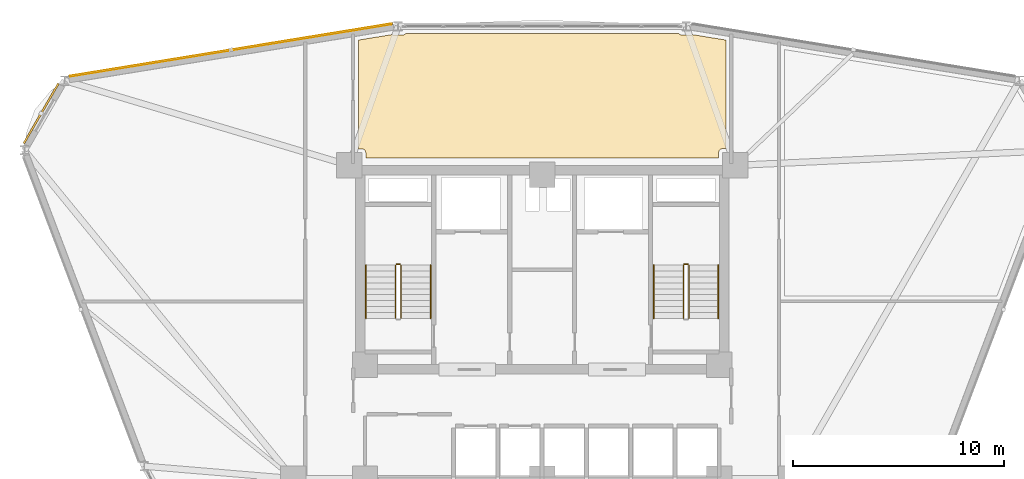
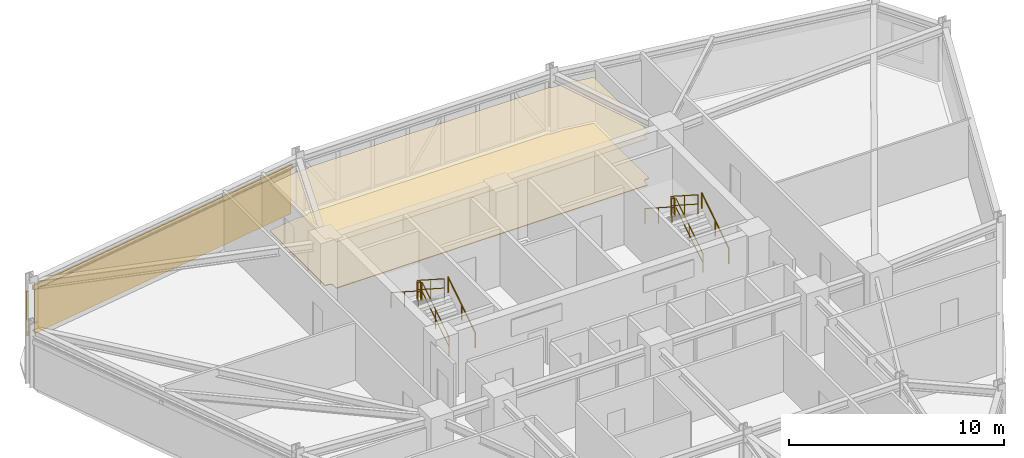
# One storey, part 16 of 17: 10 railings, 3 coverings, 2 shading devices.
"""IFC4 building model written with IfcOpenShell, lengths in metres."""

import ifcopenshell
import ifcopenshell.guid

model = None  # the IFC model being written
_history = None  # IfcOwnerHistory: only IFC2X3 demands one
_inside = {}  # id of a spatial element -> (the spatial element, [elements in it])
_under = {}  # id of a project, library or spatial element -> (it, [spatial elements below it])
_declared = {}  # id of a project -> (the project, [libraries it declares])
_typed = {}  # id of a type object -> (the type object, [elements of that type])
_made_of = {}  # id of a material, layer set ... -> (it, [elements and type objects made of it])


def new_model(schema):
    """Start an empty IFC model of exactly this schema.

    Asked for "IFC4X3", IfcOpenShell would pick the latest addendum, in which some entities
    have other attributes; the version numbers below select the first issue.
    IFC2X3 requires an IfcOwnerHistory on every rooted entity: one is made here for all.
    """
    global model, _history
    if schema == "IFC4X3":
        model = ifcopenshell.file(schema_version=(4, 3, 0, 0))
    else:
        model = ifcopenshell.file(schema=schema)
    _inside.clear()
    _under.clear()
    _declared.clear()
    _typed.clear()
    _made_of.clear()
    _history = None
    if model.schema == "IFC2X3":
        org = make("IfcOrganization", Name="unknown")
        user = make(
            "IfcPersonAndOrganization",
            ThePerson=make("IfcPerson", FamilyName="unknown"),
            TheOrganization=org,
        )
        app = make(
            "IfcApplication",
            ApplicationDeveloper=org,
            Version="unknown",
            ApplicationFullName="unknown",
            ApplicationIdentifier="unknown",
        )
        _history = make(
            "IfcOwnerHistory",
            OwningUser=user,
            OwningApplication=app,
            ChangeAction="ADDED",
            CreationDate=0,
        )
    return model


def make(cls, **values):
    """One entity of the class cls with the attributes given. An attribute that is None is left unset."""
    return model.create_entity(
        cls, **{name: value for name, value in values.items() if value is not None}
    )


def rooted(cls, **values):
    """An entity with a GlobalId (a new one), such as an element, a storey or a relation."""
    return make(cls, GlobalId=ifcopenshell.guid.new(), OwnerHistory=_history, **values)


def si_unit(unit_type, name, prefix=None):
    """IfcSIUnit, for example si_unit("LENGTHUNIT", "METRE", prefix="MILLI")."""
    return make("IfcSIUnit", UnitType=unit_type, Prefix=prefix, Name=name)


def derived_unit(unit_type, elements):
    """IfcDerivedUnit: a product of units, each with its exponent."""
    return make(
        "IfcDerivedUnit",
        Elements=[
            make("IfcDerivedUnitElement", Unit=unit, Exponent=power)
            for unit, power in elements
        ],
        UnitType=unit_type,
    )


def assignment(units):
    """IfcUnitAssignment: the units of a project."""
    return None if units is None else make("IfcUnitAssignment", Units=units)


def point(xyz):
    """IfcCartesianPoint."""
    return None if xyz is None else make("IfcCartesianPoint", Coordinates=xyz)


def direction(xyz):
    """IfcDirection."""
    return None if xyz is None else make("IfcDirection", DirectionRatios=xyz)


def frame(location, z_axis=None, x_axis=None):
    """IfcAxis2Placement3D, a coordinate frame: its origin and axes. An axis left out is left unset."""
    return make(
        "IfcAxis2Placement3D",
        Location=point(location),
        Axis=direction(z_axis),
        RefDirection=direction(x_axis),
    )


def frame_2d(location, x_axis=None):
    """IfcAxis2Placement2D, a coordinate frame in the plane: its origin and x axis."""
    return make(
        "IfcAxis2Placement2D", Location=point(location), RefDirection=direction(x_axis)
    )


def origin():
    """The frame at (0, 0, 0) with its axes left unset."""
    return frame((0.0, 0.0, 0.0))


def origin_2d():
    """The frame at (0, 0) in the plane with its x axis left unset."""
    return frame_2d((0.0, 0.0))


def place(relative_to, where):
    """IfcLocalPlacement: puts the frame where relative to a parent placement (None: the world)."""
    return make(
        "IfcLocalPlacement", PlacementRelTo=relative_to, RelativePlacement=where
    )


def context(
    kind, dimensions, precision=None, world=None, true_north=None, identifier=None
):
    """IfcGeometricRepresentationContext, for example the 3D "Model" context."""
    return make(
        "IfcGeometricRepresentationContext",
        ContextIdentifier=identifier,
        ContextType=kind,
        CoordinateSpaceDimension=dimensions,
        Precision=precision,
        WorldCoordinateSystem=world,
        TrueNorth=true_north,
    )


def subcontext(parent, identifier, kind, view, scale=None):
    """IfcGeometricRepresentationSubContext, for example "Body" below "Model"."""
    return make(
        "IfcGeometricRepresentationSubContext",
        ContextIdentifier=identifier,
        ContextType=kind,
        ParentContext=parent,
        TargetScale=scale,
        TargetView=view,
    )


def project(units=None, contexts=None):
    """IfcProject with its units and contexts."""
    return rooted(
        "IfcProject",
        Name="project",
        RepresentationContexts=contexts,
        UnitsInContext=assignment(units),
    )


def spatial(cls, under=None, at=None, **own):
    """A site, building, storey or space (cls), placed at a placement, below another one or the project."""
    s = rooted(cls, ObjectPlacement=at, **own)
    if under is not None:
        _under.setdefault(under.id(), (under, []))[1].append(s)
    return s


def polyline(points):
    """IfcPolyline through the points."""
    return make("IfcPolyline", Points=[point(p) for p in points])


def profile(cls, at=None, kind="AREA", **sizes):
    """A parametric profile (cls). Its sizes go by their IFC names, for example OverallWidth=200.0."""
    return make(cls, ProfileType=kind, Position=at, **sizes)


def hollow_rectangle(**sizes):
    """IfcRectangleHollowProfileDef."""
    return profile("IfcRectangleHollowProfileDef", **sizes)


def circle(**sizes):
    """IfcCircleProfileDef."""
    return profile("IfcCircleProfileDef", **sizes)


def outline(outer, holes=None, kind="AREA"):
    """IfcArbitraryClosedProfileDef: a profile drawn as a closed curve; with holes, ...WithVoids."""
    if holes is None:
        return make("IfcArbitraryClosedProfileDef", ProfileType=kind, OuterCurve=outer)
    return make(
        "IfcArbitraryProfileDefWithVoids",
        ProfileType=kind,
        OuterCurve=outer,
        InnerCurves=holes,
    )


def extrude(swept, where, along, depth):
    """IfcExtrudedAreaSolid: the profile swept, set in the frame where, extruded along a direction by depth."""
    return make(
        "IfcExtrudedAreaSolid",
        SweptArea=swept,
        Position=where,
        ExtrudedDirection=direction(along),
        Depth=depth,
    )


def shape(context_of_items, identifier, shape_type, items):
    """IfcShapeRepresentation: the items that make up one representation, for example the "Body"."""
    return make(
        "IfcShapeRepresentation",
        ContextOfItems=context_of_items,
        RepresentationIdentifier=identifier,
        RepresentationType=shape_type,
        Items=items,
    )


def source(mapping_origin, context_of_items, identifier, shape_type, items):
    """IfcRepresentationMap: a shape defined once, which mapped items show again and again."""
    return make(
        "IfcRepresentationMap",
        MappingOrigin=mapping_origin,
        MappedRepresentation=shape(context_of_items, identifier, shape_type, items),
    )


def transform(
    local_origin,
    x_axis=None,
    y_axis=None,
    z_axis=None,
    scale=None,
    scale2=None,
    scale3=None,
    uniform=True,
):
    """IfcCartesianTransformationOperator3D, or its non-uniform kind. x_axis, y_axis, z_axis: its Axis1, 2, 3."""
    if uniform:
        return make(
            "IfcCartesianTransformationOperator3D",
            Axis1=direction(x_axis),
            Axis2=direction(y_axis),
            LocalOrigin=point(local_origin),
            Scale=scale,
            Axis3=direction(z_axis),
        )
    return make(
        "IfcCartesianTransformationOperator3DnonUniform",
        Axis1=direction(x_axis),
        Axis2=direction(y_axis),
        LocalOrigin=point(local_origin),
        Scale=scale,
        Axis3=direction(z_axis),
        Scale2=scale2,
        Scale3=scale3,
    )


def mapped(mapping_source, mapping_target):
    """IfcMappedItem: shows the shape of a source again, moved by a transform."""
    return make(
        "IfcMappedItem", MappingSource=mapping_source, MappingTarget=mapping_target
    )


def material(Name=None, Category=None):
    """IfcMaterial."""
    return make("IfcMaterial", Name=Name, Category=Category)


def layer(
    of_material, thickness, ventilated=None, Name=None, Category=None, Priority=None
):
    """IfcMaterialLayer: one layer of a wall or slab, of a material (None: an air gap)."""
    return make(
        "IfcMaterialLayer",
        Material=of_material,
        LayerThickness=thickness,
        IsVentilated=ventilated,
        Name=Name,
        Category=Category,
        Priority=Priority,
    )


def layer_set(layers, Name=None):
    """IfcMaterialLayerSet."""
    return make("IfcMaterialLayerSet", MaterialLayers=layers, LayerSetName=Name)


def material_profile(
    of_material, cross_section, Name=None, Category=None, Priority=None
):
    """IfcMaterialProfile: a cross section and its material."""
    return make(
        "IfcMaterialProfile",
        Name=Name,
        Material=of_material,
        Profile=cross_section,
        Priority=Priority,
        Category=Category,
    )


def profile_set(profiles, Name=None, composite=None):
    """IfcMaterialProfileSet."""
    return make(
        "IfcMaterialProfileSet",
        Name=Name,
        MaterialProfiles=profiles,
        CompositeProfile=composite,
    )


def made_of(thing, what):
    """Note that an element or type object is made of a material, layer set ...; save() writes the relation."""
    if what is not None:
        _made_of.setdefault(what.id(), (what, []))[1].append(thing)
    return thing


def type_object(cls, material=None, **own):
    """A type object (cls), such as IfcWallType, which elements share."""
    return made_of(rooted(cls, **own), material)


def element(
    cls,
    number,
    at=None,
    inside=None,
    cuts=None,
    type_object=None,
    material=None,
    context=None,
    identifier="Body",
    shape_type=None,
    held_by="IfcProductDefinitionShape",
    body=None,
    shapes=None,
    **own,
):
    """One element of the class cls, such as IfcWall. Its Tag is "e" and its number.

    at: its placement. inside: the storey or other place that contains it. cuts: it is an
    opening in that element (IfcRelVoidsElement). A single representation is given by context,
    identifier, shape_type and body (its items); several are given by shapes. held_by: the class
    of the entity that holds the representations. save() writes the other relations.
    """
    e = rooted(cls, Tag="e%d" % number, ObjectPlacement=at, **own)
    if body is not None:
        shapes = [shape(context, identifier, shape_type, body)]
    if shapes is not None:
        e.Representation = make(held_by, Representations=shapes)
    if inside is not None:
        _inside.setdefault(inside.id(), (inside, []))[1].append(e)
    if cuts is not None:
        rooted(
            "IfcRelVoidsElement", RelatingBuildingElement=cuts, RelatedOpeningElement=e
        )
    if type_object is not None:
        _typed.setdefault(type_object.id(), (type_object, []))[1].append(e)
    return made_of(e, material)


def aggregate(whole, parts):
    """IfcRelAggregates: a whole, such as a stair, and the parts it consists of."""
    return rooted("IfcRelAggregates", RelatingObject=whole, RelatedObjects=parts)


def save(model, path):
    """Write the relations noted so far, then the file.

    IfcRelAggregates (storeys below a building ...), IfcRelContainedInSpatialStructure (elements
    in a storey), IfcRelDefinesByType, IfcRelAssociatesMaterial and IfcRelDeclares: one each for
    every whole, place, type object, material and project.
    """
    for whole, parts in _under.values():
        aggregate(whole, parts)
    for where, things in _inside.values():
        rooted(
            "IfcRelContainedInSpatialStructure",
            RelatedElements=things,
            RelatingStructure=where,
        )
    for kind, things in _typed.values():
        rooted("IfcRelDefinesByType", RelatedObjects=things, RelatingType=kind)
    for what, things in _made_of.values():
        rooted("IfcRelAssociatesMaterial", RelatedObjects=things, RelatingMaterial=what)
    for by, libraries in _declared.values():
        rooted("IfcRelDeclares", RelatingContext=by, RelatedDefinitions=libraries)
    model.write(path)


model = new_model("IFC4")

# Units and contexts
model_context = context("Model", 3, precision=1e-05, world=origin(), true_north=direction((0.0, 1.0)))
body_context = subcontext(model_context, "Body", "Model", "MODEL_VIEW")
ifc_project = project(units=[si_unit("LENGTHUNIT", "METRE"), si_unit("AREAUNIT", "SQUARE_METRE"), si_unit("VOLUMEUNIT", "CUBIC_METRE"), si_unit("PLANEANGLEUNIT", "RADIAN"), si_unit("MASSUNIT", "GRAM", prefix="KILO"), derived_unit("THERMALTRANSMITTANCEUNIT", [(si_unit("POWERUNIT", "WATT"), 1), (si_unit("LENGTHUNIT", "METRE"), -2), (si_unit("THERMODYNAMICTEMPERATUREUNIT", "KELVIN"), -1)])], contexts=[model_context])

# Site, building, storey
site_placement = place(None, origin())
site = spatial("IfcSite", under=ifc_project, at=site_placement, CompositionType="ELEMENT")
building_placement = place(site_placement, origin())
building = spatial("IfcBuilding", under=site, at=building_placement, Name="Korsvarv Bourse and Concert Hall", CompositionType="ELEMENT")
storey_placement = place(building_placement, frame((0.0, 0.0, 127.800048828125)))
storey = spatial("IfcBuildingStorey", under=building, at=storey_placement, Name="L32", CompositionType="ELEMENT", Elevation=127.800048828125)

# Coverings
ifc_material_1 = material(Name="Perforated mineral-wool and birch acoustic baffle ceiling", Category="wood")
ifc_layer_1 = layer(ifc_material_1, 0.02490234375)
ifc_layer_set_1 = layer_set([ifc_layer_1], Name="Perforated mineral-wool and birch acoustic baffle ceiling")
covering_type_1 = type_object("IfcCoveringType", Name="COV-CEIL-1", PredefinedType="CEILING", material=ifc_layer_set_1)
covering_1_placement = place(storey_placement, frame((0.0, 0.0, 2.639892578125)))
element("IfcCovering", 1, at=covering_1_placement, inside=storey, type_object=covering_type_1, Name="L32 acoustic baffle ceiling 2", PredefinedType="CEILING", context=body_context, shape_type="SweptSolid", body=[
    extrude(outline(polyline([(28.88134765625, 53.44921875), (28.91552734375, 53.43798828125), (28.9501953125, 53.43359375), (29.378173828125, 53.423583984375), (29.4130859375, 53.426513671875), (29.447021484375, 53.435791015625), (29.478515625, 53.451416015625), (29.506103515625, 53.472900390625), (29.529052734375, 53.49951171875), (42.46728515625, 53.501220703125), (42.49169921875, 53.47607421875), (42.520263671875, 53.456298828125), (42.55224609375, 53.4423828125), (42.586181640625, 53.43505859375), (43.031494140625, 53.423583984375), (43.06591796875, 53.42626953125), (43.099365234375, 53.435302734375), (43.125732421875, 53.447998046875), (44.7099609375, 53.1904296875), (44.7099609375, 48.0400390625), (44.550048828125, 48.0400390625), (44.515380859375, 48.03662109375), (44.482177734375, 48.026611328125), (44.451416015625, 48.010498046875), (44.42431640625, 47.98876953125), (44.40185546875, 47.962158203125), (44.385009765625, 47.931640625), (44.374267578125, 47.898681640625), (44.3701171875, 47.864013671875), (44.364013671875, 47.60009765625), (27.639892578125, 47.60009765625), (27.639892578125, 47.85009765625), (27.63671875, 47.884521484375), (27.626708984375, 47.917724609375), (27.610595703125, 47.948486328125), (27.589111328125, 47.975341796875), (27.562744140625, 47.997802734375), (27.532470703125, 48.014892578125), (27.49951171875, 48.025634765625), (27.465087890625, 48.02978515625), (27.2900390625, 48.034912109375), (27.2900390625, 53.1904296875), (28.88134765625, 53.44921875)])), origin(), (0.0, 0.0, 1.0), 0.025146484375),
])
ifc_material_2 = material(Name="Warm iron-oxide extruded terracotta rainscreen tile", Category="ceramic")
ifc_layer_2 = layer(ifc_material_2, 0.044921875)
ifc_layer_set_2 = layer_set([ifc_layer_2], Name="Warm iron-oxide extruded terracotta rainscreen tile")
covering_type_2 = type_object("IfcCoveringType", Name="COV-CLD-TC", PredefinedType="CLADDING", material=ifc_layer_set_2)
covering_2_placement = place(storey_placement, origin())
element("IfcCovering", 2, at=covering_2_placement, inside=storey, type_object=covering_type_2, Name="L32 fluted terracotta cladding panel EW-L32-B04", PredefinedType="CLADDING", context=body_context, shape_type="SweptSolid", body=[
    extrude(outline(polyline([(28.858642578125, 53.9267578125), (13.637451171875, 51.45166015625), (13.63037109375, 51.49609375), (28.851318359375, 53.97119140625), (28.858642578125, 53.9267578125)])), origin(), (0.0, 0.0, 1.0), 2.489990234375),
])
ifc_material_3 = material(Name="Calcium-sulphate raised access trading floor with Nordic oak top", Category="wood")
ifc_layer_3 = layer(ifc_material_3, 0.0400390625)
ifc_layer_set_3 = layer_set([ifc_layer_3], Name="Calcium-sulphate raised access trading floor with Nordic oak top")
covering_type_3 = type_object("IfcCoveringType", Name="COV-FLOR-1", PredefinedType="FLOORING", material=ifc_layer_set_3)
covering_3_placement = place(storey_placement, origin())
element("IfcCovering", 3, at=covering_3_placement, inside=storey, type_object=covering_type_3, Name="L32 raised access oak floor finish 2", PredefinedType="FLOORING", context=body_context, shape_type="SweptSolid", body=[
    extrude(outline(polyline([(28.88134765625, 53.44921875), (28.91552734375, 53.43798828125), (28.9501953125, 53.43359375), (29.378173828125, 53.423583984375), (29.4130859375, 53.426513671875), (29.447021484375, 53.435791015625), (29.478515625, 53.451416015625), (29.506103515625, 53.472900390625), (29.529052734375, 53.49951171875), (42.46728515625, 53.501220703125), (42.49169921875, 53.47607421875), (42.520263671875, 53.456298828125), (42.55224609375, 53.4423828125), (42.586181640625, 53.43505859375), (43.031494140625, 53.423583984375), (43.06591796875, 53.42626953125), (43.099365234375, 53.435302734375), (43.125732421875, 53.447998046875), (44.7099609375, 53.1904296875), (44.7099609375, 48.0400390625), (44.550048828125, 48.0400390625), (44.515380859375, 48.03662109375), (44.482177734375, 48.026611328125), (44.451416015625, 48.010498046875), (44.42431640625, 47.98876953125), (44.40185546875, 47.962158203125), (44.385009765625, 47.931640625), (44.374267578125, 47.898681640625), (44.3701171875, 47.864013671875), (44.364013671875, 47.60009765625), (27.639892578125, 47.60009765625), (27.639892578125, 47.85009765625), (27.63671875, 47.884521484375), (27.626708984375, 47.917724609375), (27.610595703125, 47.948486328125), (27.589111328125, 47.975341796875), (27.562744140625, 47.997802734375), (27.532470703125, 48.014892578125), (27.49951171875, 48.025634765625), (27.465087890625, 48.02978515625), (27.2900390625, 48.034912109375), (27.2900390625, 53.1904296875), (28.88134765625, 53.44921875)])), origin(), (0.0, 0.0, 1.0), 0.0400390625),
])

# Railings
ifc_material_4 = material(Name="Painted Steel S355 stair well guardrail", Category="steel")
railing_type_1 = type_object("IfcRailingType", Name="RL-ST-GRD", PredefinedType="GUARDRAIL", material=ifc_material_4)
railing_1_placement = place(storey_placement, frame((29.31005859375, 40.0, 0.179931640625)))
element("IfcRailing", 4, at=railing_1_placement, inside=storey, type_object=railing_type_1, Name="L32 ST-T1 stair guard 1", PredefinedType="GUARDRAIL", context=body_context, shape_type="SweptSolid", body=[
    extrude(circle(Radius=0.02392578125, at=origin_2d()), frame((0.0, 0.0, 1.076171875), z_axis=(0.0, 0.841162588446, 0.540782303519), x_axis=(-1.0, 0.0, 0.0)), (0.0, 0.0, 1.0), 2.995849609375),
    extrude(circle(Radius=0.02392578125, at=origin_2d()), frame((0.0, 0.0, 0.550048828125), z_axis=(0.0, 0.841162588446, 0.540782303519), x_axis=(-1.0, 0.0, 0.0)), (0.0, 0.0, 1.0), 2.995849609375),
    extrude(circle(Radius=0.02099609375, at=origin_2d()), origin(), (0.0, 0.0, 1.0), 1.052001953125),
    extrude(circle(Radius=0.02099609375, at=origin_2d()), frame((0.0, 1.260009765625, 0.81005859375)), (0.0, 0.0, 1.0), 1.052001953125),
    extrude(circle(Radius=0.02099609375, at=origin_2d()), frame((0.0, 2.52001953125, 1.6201171875)), (0.0, 0.0, 1.0), 1.052001953125),
])
railing_2_placement = place(storey_placement, frame((29.260009765625, 42.570068359375, 1.800048828125)))
element("IfcRailing", 5, at=railing_2_placement, inside=storey, type_object=railing_type_1, Name="L32 ST-T1 stair guard 2", PredefinedType="GUARDRAIL", context=body_context, shape_type="SweptSolid", body=[
    extrude(circle(Radius=0.02392578125, at=origin_2d()), frame((0.0, 0.0, 1.076171875), z_axis=(-1.0, 0.0, 0.0), x_axis=(0.0, -1.0, 0.0)), (0.0, 0.0, 1.0), 0.159912109375),
    extrude(circle(Radius=0.02392578125, at=origin_2d()), frame((0.0, 0.0, 0.550048828125), z_axis=(-1.0, 0.0, 0.0), x_axis=(0.0, -1.0, 0.0)), (0.0, 0.0, 1.0), 0.159912109375),
    extrude(circle(Radius=0.02099609375, at=origin_2d()), origin(), (0.0, 0.0, 1.0), 1.052001953125),
    extrude(circle(Radius=0.02099609375, at=origin_2d()), frame((-0.159912109375, 0.0, 0.0)), (0.0, 0.0, 1.0), 1.052001953125),
])
railing_3_placement = place(storey_placement, frame((29.050048828125, 42.52001953125, 1.97998046875)))
element("IfcRailing", 6, at=railing_3_placement, inside=storey, type_object=railing_type_1, Name="L32 ST-T1 stair guard 3", PredefinedType="GUARDRAIL", context=body_context, shape_type="SweptSolid", body=[
    extrude(circle(Radius=0.02392578125, at=origin_2d()), frame((0.0, 0.0, 1.076171875), z_axis=(0.0, -0.841199657755, 0.540724639528), x_axis=(1.0, 0.0, 0.0)), (0.0, 0.0, 1.0), 2.995849609375),
    extrude(circle(Radius=0.02392578125, at=origin_2d()), frame((0.0, 0.0, 0.550048828125), z_axis=(0.0, -0.841199657755, 0.540724639528), x_axis=(1.0, 0.0, 0.0)), (0.0, 0.0, 1.0), 2.995849609375),
    extrude(circle(Radius=0.02099609375, at=origin_2d()), origin(), (0.0, 0.0, 1.0), 1.052001953125),
    extrude(circle(Radius=0.02099609375, at=origin_2d()), frame((0.0, -1.260009765625, 0.81005859375)), (0.0, 0.0, 1.0), 1.052001953125),
    extrude(circle(Radius=0.02099609375, at=origin_2d()), frame((0.0, -2.52001953125, 1.619873046875)), (0.0, 0.0, 1.0), 1.052001953125),
])
railing_4_placement = place(storey_placement, frame((42.949951171875, 40.0, 0.179931640625)))
element("IfcRailing", 7, at=railing_4_placement, inside=storey, type_object=railing_type_1, Name="L32 ST-T2 stair guard 1", PredefinedType="GUARDRAIL", context=body_context, shape_type="SweptSolid", body=[
    extrude(circle(Radius=0.02392578125, at=origin_2d()), frame((0.0, 0.0, 1.076171875), z_axis=(0.0, 0.841162588446, 0.540782303519), x_axis=(-1.0, 0.0, 0.0)), (0.0, 0.0, 1.0), 2.995849609375),
    extrude(circle(Radius=0.02392578125, at=origin_2d()), frame((0.0, 0.0, 0.550048828125), z_axis=(0.0, 0.841162588446, 0.540782303519), x_axis=(-1.0, 0.0, 0.0)), (0.0, 0.0, 1.0), 2.995849609375),
    extrude(circle(Radius=0.02099609375, at=origin_2d()), origin(), (0.0, 0.0, 1.0), 1.052001953125),
    extrude(circle(Radius=0.02099609375, at=origin_2d()), frame((0.0, 1.260009765625, 0.81005859375)), (0.0, 0.0, 1.0), 1.052001953125),
    extrude(circle(Radius=0.02099609375, at=origin_2d()), frame((0.0, 2.52001953125, 1.6201171875)), (0.0, 0.0, 1.0), 1.052001953125),
])
railing_5_placement = place(storey_placement, frame((42.89990234375, 42.570068359375, 1.800048828125)))
element("IfcRailing", 8, at=railing_5_placement, inside=storey, type_object=railing_type_1, Name="L32 ST-T2 stair guard 2", PredefinedType="GUARDRAIL", context=body_context, shape_type="SweptSolid", body=[
    extrude(circle(Radius=0.02392578125, at=origin_2d()), frame((0.0, 0.0, 1.076171875), z_axis=(-1.0, 0.0, 0.0), x_axis=(0.0, -1.0, 0.0)), (0.0, 0.0, 1.0), 0.159912109375),
    extrude(circle(Radius=0.02392578125, at=origin_2d()), frame((0.0, 0.0, 0.550048828125), z_axis=(-1.0, 0.0, 0.0), x_axis=(0.0, -1.0, 0.0)), (0.0, 0.0, 1.0), 0.159912109375),
    extrude(circle(Radius=0.02099609375, at=origin_2d()), origin(), (0.0, 0.0, 1.0), 1.052001953125),
    extrude(circle(Radius=0.02099609375, at=origin_2d()), frame((-0.159912109375, 0.0, 0.0)), (0.0, 0.0, 1.0), 1.052001953125),
])
railing_6_placement = place(storey_placement, frame((42.68994140625, 42.52001953125, 1.97998046875)))
element("IfcRailing", 9, at=railing_6_placement, inside=storey, type_object=railing_type_1, Name="L32 ST-T2 stair guard 3", PredefinedType="GUARDRAIL", context=body_context, shape_type="SweptSolid", body=[
    extrude(circle(Radius=0.02392578125, at=origin_2d()), frame((0.0, 0.0, 1.076171875), z_axis=(0.0, -0.841199657755, 0.540724639528), x_axis=(1.0, 0.0, 0.0)), (0.0, 0.0, 1.0), 2.995849609375),
    extrude(circle(Radius=0.02392578125, at=origin_2d()), frame((0.0, 0.0, 0.550048828125), z_axis=(0.0, -0.841199657755, 0.540724639528), x_axis=(1.0, 0.0, 0.0)), (0.0, 0.0, 1.0), 2.995849609375),
    extrude(circle(Radius=0.02099609375, at=origin_2d()), origin(), (0.0, 0.0, 1.0), 1.052001953125),
    extrude(circle(Radius=0.02099609375, at=origin_2d()), frame((0.0, -1.260009765625, 0.81005859375)), (0.0, 0.0, 1.0), 1.052001953125),
    extrude(circle(Radius=0.02099609375, at=origin_2d()), frame((0.0, -2.52001953125, 1.619873046875)), (0.0, 0.0, 1.0), 1.052001953125),
])
ifc_material_5 = material(Name="Brushed stainless Steel S355 tubular handrail", Category="steel")
railing_type_2 = type_object("IfcRailingType", Name="RL-ST-HND", PredefinedType="HANDRAIL", material=ifc_material_5)
railing_7_placement = place(storey_placement, frame((30.7099609375, 40.0, 0.179931640625)))
element("IfcRailing", 10, at=railing_7_placement, inside=storey, type_object=railing_type_2, Name="L32 ST-T1 stair handrail 1", PredefinedType="HANDRAIL", context=body_context, shape_type="SweptSolid", body=[
    extrude(circle(Radius=0.02392578125, at=origin_2d()), frame((0.0, 0.0, 0.8759765625), z_axis=(0.0, 0.841162588446, 0.540782303519), x_axis=(-1.0, 0.0, 0.0)), (0.0, 0.0, 1.0), 2.995849609375),
    extrude(circle(Radius=0.02099609375, at=origin_2d()), origin(), (0.0, 0.0, 1.0), 0.851806640625),
    extrude(circle(Radius=0.02099609375, at=origin_2d()), frame((0.0, 1.260009765625, 0.81005859375)), (0.0, 0.0, 1.0), 0.851806640625),
    extrude(circle(Radius=0.02099609375, at=origin_2d()), frame((0.0, 2.52001953125, 1.6201171875)), (0.0, 0.0, 1.0), 0.851806640625),
])
railing_8_placement = place(storey_placement, frame((27.64990234375, 42.52001953125, 1.97998046875)))
element("IfcRailing", 11, at=railing_8_placement, inside=storey, type_object=railing_type_2, Name="L32 ST-T1 stair handrail 2", PredefinedType="HANDRAIL", context=body_context, shape_type="SweptSolid", body=[
    extrude(circle(Radius=0.02392578125, at=origin_2d()), frame((0.0, 0.0, 0.8759765625), z_axis=(0.0, -0.841199657755, 0.540724639528), x_axis=(1.0, 0.0, 0.0)), (0.0, 0.0, 1.0), 2.995849609375),
    extrude(circle(Radius=0.02099609375, at=origin_2d()), origin(), (0.0, 0.0, 1.0), 0.851806640625),
    extrude(circle(Radius=0.02099609375, at=origin_2d()), frame((0.0, -1.260009765625, 0.81005859375)), (0.0, 0.0, 1.0), 0.851806640625),
    extrude(circle(Radius=0.02099609375, at=origin_2d()), frame((0.0, -2.52001953125, 1.619873046875)), (0.0, 0.0, 1.0), 0.851806640625),
])
railing_9_placement = place(storey_placement, frame((44.35009765625, 40.0, 0.179931640625)))
element("IfcRailing", 12, at=railing_9_placement, inside=storey, type_object=railing_type_2, Name="L32 ST-T2 stair handrail 1", PredefinedType="HANDRAIL", context=body_context, shape_type="SweptSolid", body=[
    extrude(circle(Radius=0.02392578125, at=origin_2d()), frame((0.0, 0.0, 0.8759765625), z_axis=(0.0, 0.841162588446, 0.540782303519), x_axis=(-1.0, 0.0, 0.0)), (0.0, 0.0, 1.0), 2.995849609375),
    extrude(circle(Radius=0.02099609375, at=origin_2d()), origin(), (0.0, 0.0, 1.0), 0.851806640625),
    extrude(circle(Radius=0.02099609375, at=origin_2d()), frame((0.0, 1.260009765625, 0.81005859375)), (0.0, 0.0, 1.0), 0.851806640625),
    extrude(circle(Radius=0.02099609375, at=origin_2d()), frame((0.0, 2.52001953125, 1.6201171875)), (0.0, 0.0, 1.0), 0.851806640625),
])
railing_10_placement = place(storey_placement, frame((41.2900390625, 42.52001953125, 1.97998046875)))
element("IfcRailing", 13, at=railing_10_placement, inside=storey, type_object=railing_type_2, Name="L32 ST-T2 stair handrail 2", PredefinedType="HANDRAIL", context=body_context, shape_type="SweptSolid", body=[
    extrude(circle(Radius=0.02392578125, at=origin_2d()), frame((0.0, 0.0, 0.8759765625), z_axis=(0.0, -0.841199657755, 0.540724639528), x_axis=(1.0, 0.0, 0.0)), (0.0, 0.0, 1.0), 2.995849609375),
    extrude(circle(Radius=0.02099609375, at=origin_2d()), origin(), (0.0, 0.0, 1.0), 0.851806640625),
    extrude(circle(Radius=0.02099609375, at=origin_2d()), frame((0.0, -1.260009765625, 0.81005859375)), (0.0, 0.0, 1.0), 0.851806640625),
    extrude(circle(Radius=0.02099609375, at=origin_2d()), frame((0.0, -2.52001953125, 1.619873046875)), (0.0, 0.0, 1.0), 0.851806640625),
])

# Shading devices
ifc_material_6 = material(Name="Glazed extruded architectural terracotta", Category="ceramic")
ifc_material_profile = material_profile(ifc_material_6, hollow_rectangle(XDim=0.090087890625, YDim=0.260009765625, WallThickness=0.011962890625, at=origin_2d()), Name="TC-BAG 90x260")
ifc_profile_set = profile_set([ifc_material_profile], Name="Glazed extruded architectural terracotta")
shading_device_type = type_object("IfcShadingDeviceType", Name="SHD-BAG-1", PredefinedType="USERDEFINED", material=ifc_profile_set)
shared_shape_1 = source(origin(), body_context, "Body", "SweptSolid", [
    extrude(hollow_rectangle(XDim=0.090087890625, YDim=0.260009765625, WallThickness=0.011962890625, at=origin_2d()), origin(), (0.0, 0.0, 1.0), 3.279296875),
])
shading_device_1_placement = place(storey_placement, frame((13.07177734375, 51.130859375, 2.699951171875), z_axis=(-0.500014611105, -0.866016967894, 0.0), x_axis=(0.866016967894, -0.500014611105, 0.0)))
element("IfcShadingDevice", 14, at=shading_device_1_placement, inside=storey, type_object=shading_device_type, Name="L32 terracotta baguette sunshade EW-L32-B05", ObjectType="BAGUETTE", PredefinedType="USERDEFINED", context=body_context, shape_type="MappedRepresentation", body=[
    mapped(shared_shape_1, transform((0.0, 0.0, 0.0), scale=1.0)),
])
shared_shape_2 = source(origin(), body_context, "Body", "SweptSolid", [
    extrude(hollow_rectangle(XDim=0.090087890625, YDim=0.260009765625, WallThickness=0.011962890625, at=origin_2d()), origin(), (0.0, 0.0, 1.0), 15.5810546875),
])
shading_device_2_placement = place(storey_placement, frame((28.93115234375, 53.97900390625, 2.64990234375), z_axis=(-0.987036263752, -0.160497395736, 0.0), x_axis=(0.160497395736, -0.987036263752, 0.0)))
element("IfcShadingDevice", 15, at=shading_device_2_placement, inside=storey, type_object=shading_device_type, Name="L32 terracotta baguette sunshade EW-L32-B04", ObjectType="BAGUETTE", PredefinedType="USERDEFINED", context=body_context, shape_type="MappedRepresentation", body=[
    mapped(shared_shape_2, transform((0.0, 0.0, 0.0), scale=1.0)),
])

save(model, "model.ifc")
